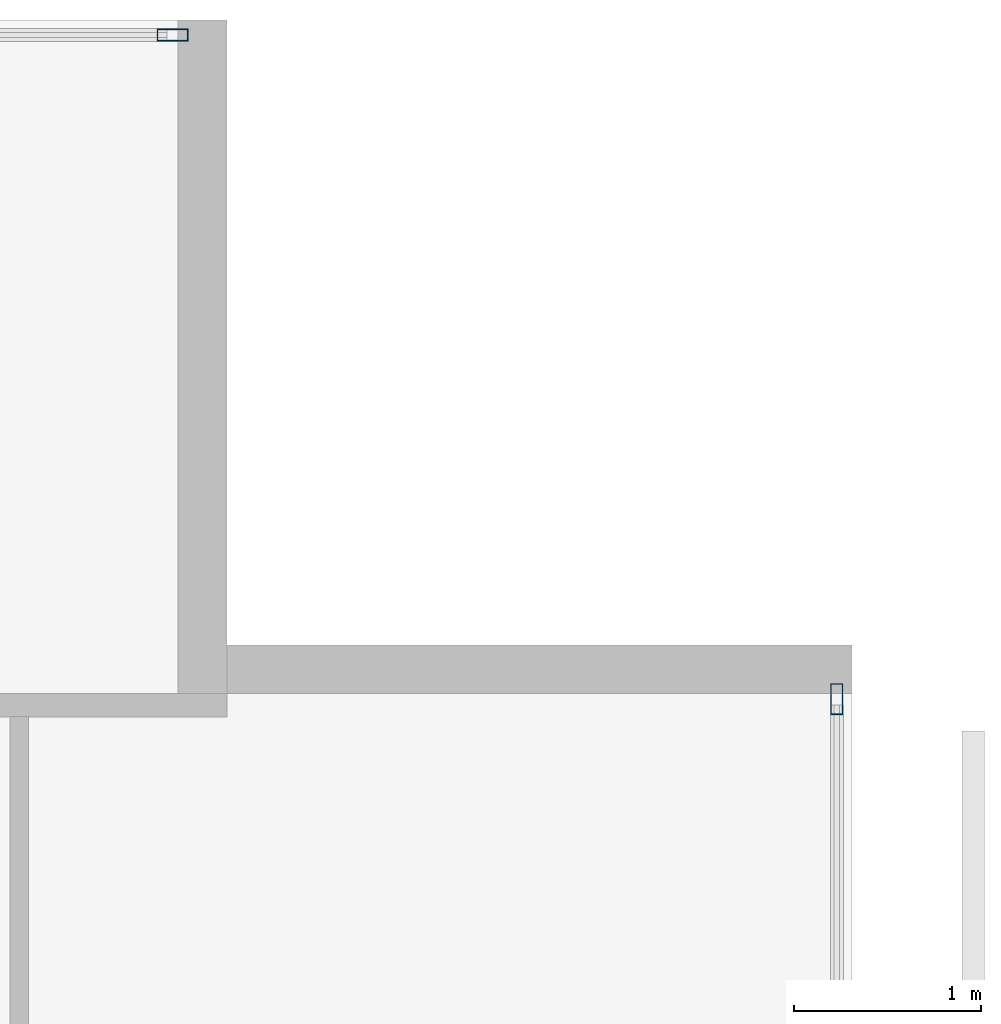
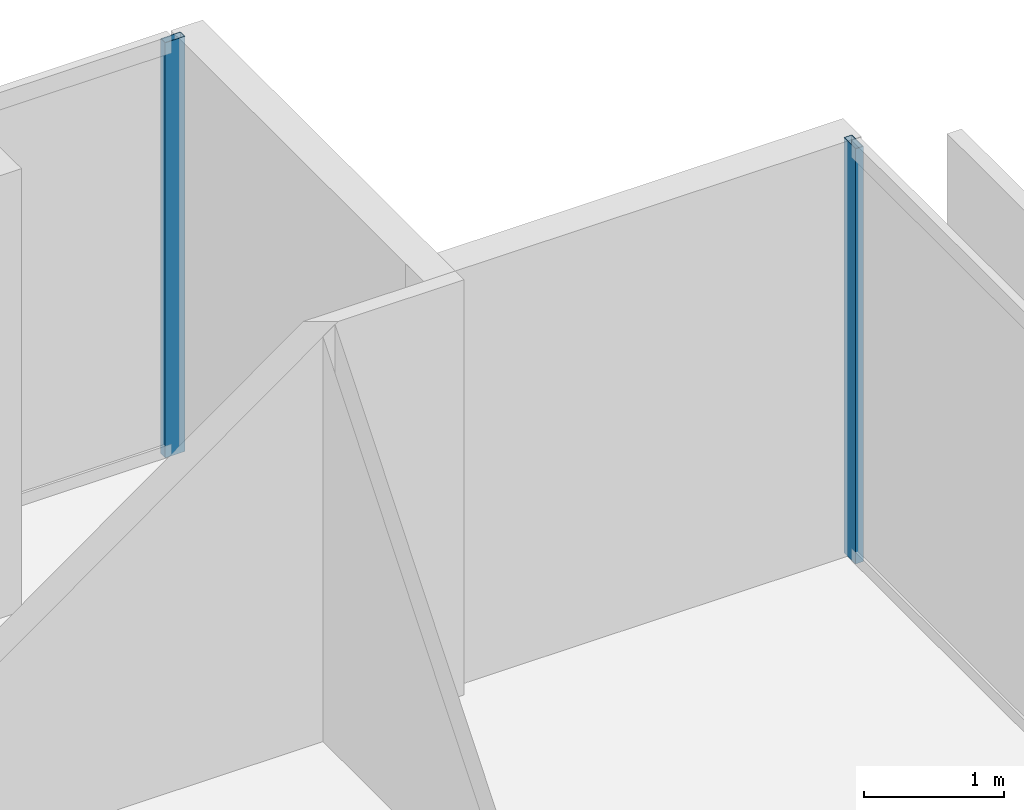
# One storey, part 31 of 40: 2 members, 2 elements without a shape of their own.
"""IFC4 building model written with IfcOpenShell, lengths in metres."""

from ifc_helpers import new_model, si_unit, direction, frame, origin, origin_2d, place, context, subcontext, project, spatial, hollow_rectangle, extrude, material, layer, layer_set, material_profile, profile_set, type_object, element, aggregate, save


model = new_model("IFC4")

# Units and contexts
model_context = context("Model", 3, precision=1e-05, world=origin(), true_north=direction((0.0, 1.0)))
body_context = subcontext(model_context, "Body", "Model", "MODEL_VIEW")
ifc_project = project(units=[si_unit("LENGTHUNIT", "METRE"), si_unit("AREAUNIT", "SQUARE_METRE"), si_unit("VOLUMEUNIT", "CUBIC_METRE"), si_unit("PLANEANGLEUNIT", "RADIAN"), si_unit("MASSUNIT", "GRAM", prefix="KILO")], contexts=[model_context])

# Site, building, storey
site_placement = place(None, origin())
site = spatial("IfcSite", under=ifc_project, at=site_placement, CompositionType="ELEMENT")
building_placement = place(site_placement, origin())
building = spatial("IfcBuilding", under=site, at=building_placement, Name="Maruvema Waterfront Hotel and Observation Tower", CompositionType="ELEMENT")
storey_placement = place(building_placement, frame((0.0, 0.0, 96.25)))
storey = spatial("IfcBuildingStorey", under=building, at=storey_placement, Name="L23", CompositionType="ELEMENT", Elevation=96.25)

# Curtain wall, member
ifc_material_1 = material(Name="Anodised bronze aluminium and solar-control low-E IGU", Category="aluminium")
ifc_layer = layer(ifc_material_1, 0.159912109375, Name="Zone 1 Bronze Inner Thermal Curtain Wall System CW-02")
ifc_layer_set = layer_set([ifc_layer], Name="Anodised bronze aluminium and solar-control low-E IGU")
curtain_wall_type = type_object("IfcCurtainWallType", Name="Zone 1 Bronze Inner Thermal Curtain Wall System CW-02", PredefinedType="USERDEFINED", material=ifc_layer_set)
curtain_wall_1_placement = place(storey_placement, origin())
curtain_wall_1 = element("IfcCurtainWall", 1, at=curtain_wall_1_placement, inside=storey, type_object=curtain_wall_type, Name="L23 Curtain Wall CW-L23-E", ObjectType="UNITISED CURTAIN WALL", PredefinedType="USERDEFINED")
ifc_material_2 = material(Name="Anodised architectural bronze aluminium", Category="aluminium")
ifc_material_profile = material_profile(ifc_material_2, hollow_rectangle(XDim=0.06494140625, YDim=0.1650390625, WallThickness=0.00390625, at=origin_2d()), Name="ALU-M65x165")
ifc_profile_set = profile_set([ifc_material_profile], Name="Anodised architectural bronze aluminium")
member_type = type_object("IfcMemberType", Name="Curtain Wall Primary Mullion ALU-M65x165", PredefinedType="MULLION", material=ifc_profile_set)
member_1_placement = place(storey_placement, frame((64.719970703125, 50.3701171875, 0.0), z_axis=(0.0, 0.0, 1.0), x_axis=(-1.0, 0.0, 0.0)))
member_1 = element("IfcMember", 2, at=member_1_placement, type_object=member_type, Name="CW-02 mullion 7", PredefinedType="MULLION", context=body_context, shape_type="SweptSolid", body=[
    extrude(hollow_rectangle(XDim=0.06494140625, YDim=0.1650390625, WallThickness=0.00390625, at=origin_2d()), origin(), (0.0, 0.0, 1.0), 3.610107421875),
])
aggregate(curtain_wall_1, [member_1])

curtain_wall_2_placement = place(storey_placement, origin())
curtain_wall_2 = element("IfcCurtainWall", 3, at=curtain_wall_2_placement, inside=storey, type_object=curtain_wall_type, Name="L23 Curtain Wall CW-L23-NE", ObjectType="UNITISED CURTAIN WALL", PredefinedType="USERDEFINED")
member_2_placement = place(storey_placement, frame((61.169921875, 53.919921875, 0.0), z_axis=(0.0, 0.0, 1.0), x_axis=(0.0, -1.0, 0.0)))
member_2 = element("IfcMember", 4, at=member_2_placement, type_object=member_type, Name="CW-02 mullion 1", PredefinedType="MULLION", context=body_context, shape_type="SweptSolid", body=[
    extrude(hollow_rectangle(XDim=0.06494140625, YDim=0.1650390625, WallThickness=0.00390625, at=origin_2d()), origin(), (0.0, 0.0, 1.0), 3.610107421875),
])
aggregate(curtain_wall_2, [member_2])

save(model, "model.ifc")
